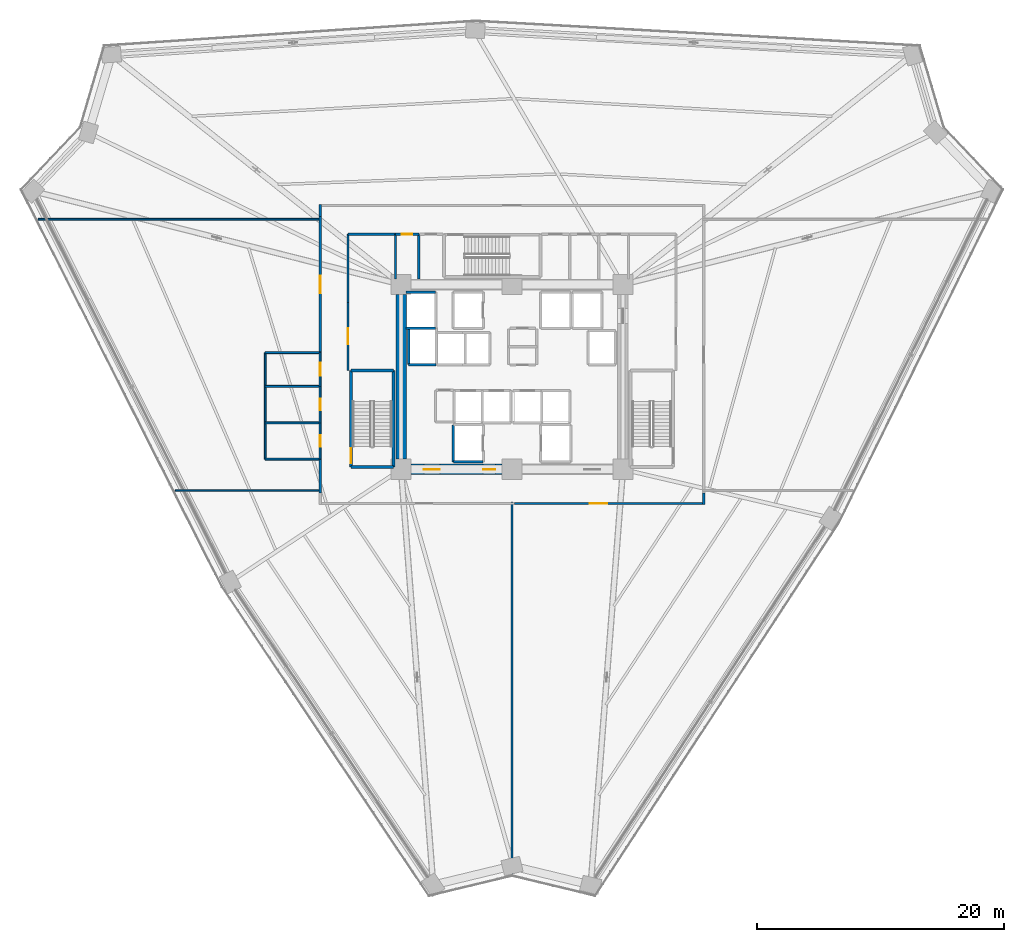
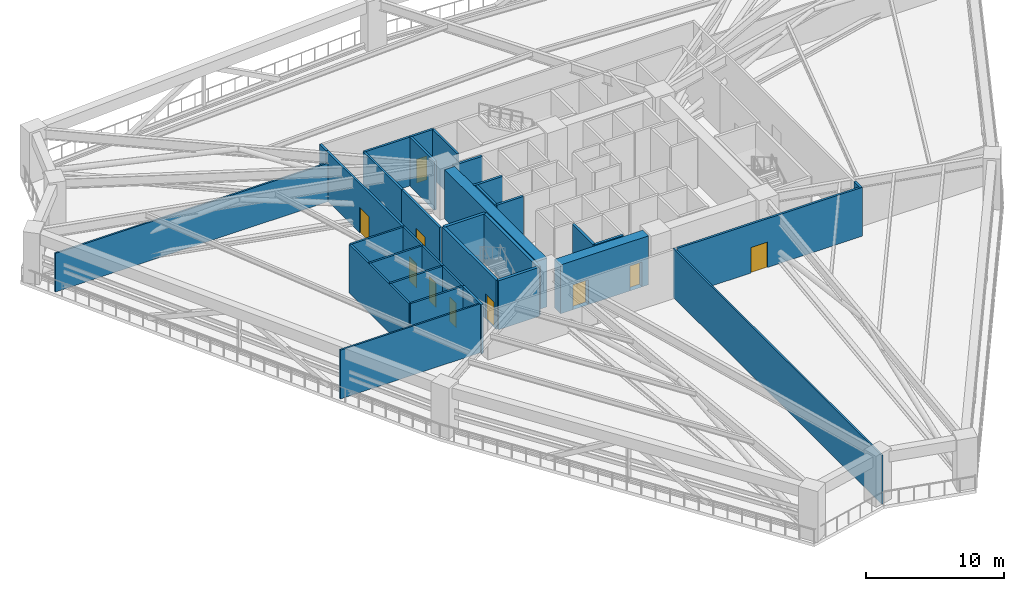
# One storey, part 17 of 25: 34 walls, 10 doors, 10 openings.
"""IFC4 building model written with IfcOpenShell, lengths in metres."""

from ifc_helpers import new_model, si_unit, direction, frame, frame_2d, origin, place, context, subcontext, project, spatial, rectangle, extrude, source, transform, mapped, material, layer, layer_set, type_object, element, fill, save


model = new_model("IFC4")

# Units and contexts
model_context = context("Model", 3, precision=1e-05, world=origin(), true_north=direction((0.0, 1.0)))
body_context = subcontext(model_context, "Body", "Model", "MODEL_VIEW")
ifc_project = project(units=[si_unit("LENGTHUNIT", "METRE"), si_unit("AREAUNIT", "SQUARE_METRE"), si_unit("VOLUMEUNIT", "CUBIC_METRE"), si_unit("PLANEANGLEUNIT", "RADIAN"), si_unit("MASSUNIT", "GRAM", prefix="KILO")], contexts=[model_context])

# Site, building, storey
site_placement = place(None, origin())
site = spatial("IfcSite", under=ifc_project, at=site_placement, CompositionType="ELEMENT")
building_placement = place(site_placement, origin())
building = spatial("IfcBuilding", under=site, at=building_placement, Name="Liaohun Quay Tower", CompositionType="ELEMENT")
storey_placement = place(building_placement, frame((0.0, 0.0, 47.25)))
storey = spatial("IfcBuildingStorey", under=building, at=storey_placement, Name="L12", CompositionType="ELEMENT", Elevation=47.25)

# Wall, openings, doors
ifc_material_1 = material(Name="Concrete C60", Category="concrete")
ifc_layer_1 = layer(ifc_material_1, 0.85009765625, Name="Concrete C60", Category="concrete")
ifc_layer_set_1 = layer_set([ifc_layer_1], Name="Concrete C60")
wall_type_1 = type_object("IfcWallType", Name="WAL-COR-Z1", PredefinedType="SHEAR", material=ifc_layer_set_1)
wall_1_placement = place(storey_placement, frame((59.175048828125, 46.5, 0.0), z_axis=(0.0, 0.0, 1.0), x_axis=(-1.0, 0.0, 0.0)))
wall_1 = element("IfcWall", 1, at=wall_1_placement, inside=storey, type_object=wall_type_1, Name="L12 Central Core Shear Wall S-W", PredefinedType="SHEAR", context=body_context, shape_type="SweptSolid", body=[
    extrude(rectangle(XDim=7.35009765625, YDim=0.85009765625, at=frame_2d((3.675048828125, 0.0))), origin(), (0.0, 0.0, 1.0), 4.320068359375),
])
shared_shape_1 = source(origin(), body_context, "Body", "SweptSolid", [
    extrude(rectangle(XDim=1.300048828125, YDim=2.199951171875, at=frame_2d((0.64990234375, 1.10009765625))), frame((0.0, 0.43505859375, 0.0), z_axis=(0.0, -1.0, 0.0), x_axis=(1.0, 0.0, 0.0)), (0.0, 0.0, 1.0), 0.8701171875),
])
opening_1_placement = place(wall_1_placement, frame((5.02490234375, 0.0, 0.0)))
opening_1 = element("IfcOpeningElement", 2, at=opening_1_placement, cuts=wall_1, Name="Opening FD1", PredefinedType="OPENING", context=body_context, shape_type="MappedRepresentation", body=[
    mapped(shared_shape_1, transform((0.0, 0.0, 0.0), x_axis=(1.0, 0.0, 0.0), y_axis=(0.0, 1.0, 0.0), z_axis=(0.0, 0.0, 1.0), scale=1.0)),
])
shared_shape_2 = source(origin(), body_context, "Body", "SweptSolid", [
    extrude(rectangle(XDim=1.0, YDim=2.199951171875, at=frame_2d((0.5, 1.10009765625))), frame((0.0, 0.43505859375, 0.0), z_axis=(0.0, -1.0, 0.0), x_axis=(1.0, 0.0, 0.0)), (0.0, 0.0, 1.0), 0.8701171875),
])
opening_2_placement = place(wall_1_placement, frame((0.52490234375, 0.0, 0.0)))
opening_2 = element("IfcOpeningElement", 3, at=opening_2_placement, cuts=wall_1, Name="Opening FD2", PredefinedType="OPENING", context=body_context, shape_type="MappedRepresentation", body=[
    mapped(shared_shape_2, transform((0.0, 0.0, 0.0), x_axis=(1.0, 0.0, 0.0), y_axis=(0.0, 1.0, 0.0), z_axis=(0.0, 0.0, 1.0), scale=1.0)),
])
ifc_material_2 = material(Name="Galvanised steel smokeproof fire door", Category="steel")
door_type_1 = type_object("IfcDoorType", Name="DOR-FFL-1300", OperationType="NOTDEFINED", PredefinedType="DOOR", material=ifc_material_2)
shared_shape_3 = source(origin(), body_context, "Body", "SweptSolid", [
    extrude(rectangle(XDim=1.300048828125, YDim=2.199951171875, at=frame_2d((0.64990234375, 1.10009765625))), frame((0.0, 0.02490234375, 0.0), z_axis=(0.0, -1.0, 0.0), x_axis=(1.0, 0.0, 0.0)), (0.0, 0.0, 1.0), 0.050048828125),
])
door_1_placement = place(opening_1_placement, origin())
door_1 = element("IfcDoor", 4, at=door_1_placement, inside=storey, type_object=door_type_1, Name="L12 West Core Lift Lobby Smokeproof Door", OperationType="SINGLE_SWING_RIGHT", OverallHeight=2.199951171875, OverallWidth=1.300048828125, PredefinedType="DOOR", context=body_context, shape_type="MappedRepresentation", body=[
    mapped(shared_shape_3, transform((0.0, 0.0, 0.0), x_axis=(1.0, 0.0, 0.0), y_axis=(0.0, 1.0, 0.0), z_axis=(0.0, 0.0, 1.0), scale=1.0)),
])
fill(opening_1, door_1)
ifc_material_3 = material(Name="Galvanised steel smokeproof lobby fire door", Category="steel")
door_type_2 = type_object("IfcDoorType", Name="DOR-FFL-1000", OperationType="NOTDEFINED", PredefinedType="DOOR", material=ifc_material_3)
shared_shape_4 = source(origin(), body_context, "Body", "SweptSolid", [
    extrude(rectangle(XDim=1.0, YDim=2.199951171875, at=frame_2d((0.5, 1.10009765625))), frame((0.0, 0.02490234375, 0.0), z_axis=(0.0, -1.0, 0.0), x_axis=(1.0, 0.0, 0.0)), (0.0, 0.0, 1.0), 0.050048828125),
])
door_2_placement = place(opening_2_placement, origin())
door_2 = element("IfcDoor", 5, at=door_2_placement, inside=storey, type_object=door_type_2, Name="L12 South Firefighting Lobby Smokeproof Door", OperationType="SINGLE_SWING_LEFT", OverallHeight=2.199951171875, OverallWidth=1.0, PredefinedType="DOOR", context=body_context, shape_type="MappedRepresentation", body=[
    mapped(shared_shape_4, transform((0.0, 0.0, 0.0), x_axis=(1.0, 0.0, 0.0), y_axis=(0.0, 1.0, 0.0), z_axis=(0.0, 0.0, 1.0), scale=1.0)),
])
fill(opening_2, door_2)

# Wall
wall_2_placement = place(storey_placement, frame((51.0, 47.324951171875, 0.0), z_axis=(0.0, 0.0, 1.0), x_axis=(0.0, 1.0, 0.0)))
element("IfcWall", 6, at=wall_2_placement, inside=storey, type_object=wall_type_1, Name="L12 Central Core Shear Wall W", PredefinedType="SHEAR", context=body_context, shape_type="SweptSolid", body=[
    extrude(rectangle(XDim=13.35009765625, YDim=0.85009765625, at=frame_2d((6.675048828125, 0.0))), origin(), (0.0, 0.0, 1.0), 4.320068359375),
])

# Wall, opening, door
ifc_material_4 = material(Name="Autoclaved aerated concrete blockwork", Category="masonry")
ifc_layer_2 = layer(ifc_material_4, 0.179931640625, Name="Autoclaved aerated concrete blockwork", Category="masonry")
ifc_layer_set_2 = layer_set([ifc_layer_2], Name="Autoclaved aerated concrete blockwork")
wall_type_2 = type_object("IfcWallType", Name="WAL-PRT-COR", PredefinedType="PARTITIONING", material=ifc_layer_set_2)
wall_3_placement = place(storey_placement, frame((50.5400390625, 65.580078125, 0.0), z_axis=(0.0, 0.0, 1.0), x_axis=(1.0, 0.0, 0.0)))
wall_3 = element("IfcWall", 7, at=wall_3_placement, inside=storey, type_object=wall_type_2, Name="L12 Interior Partition Wall 007", PredefinedType="PARTITIONING", context=body_context, shape_type="SweptSolid", body=[
    extrude(rectangle(XDim=1.89990234375, YDim=0.179931640625, at=frame_2d((0.949951171875, 0.0))), origin(), (0.0, 0.0, 1.0), 4.320068359375),
])
shared_shape_5 = source(origin(), body_context, "Body", "SweptSolid", [
    extrude(rectangle(XDim=0.85009765625, YDim=2.10009765625, at=frame_2d((0.425048828125, 1.050048828125))), frame((0.0, 0.099853515625, 0.0), z_axis=(0.0, -1.0, 0.0), x_axis=(1.0, 0.0, 0.0)), (0.0, 0.0, 1.0), 0.199951171875),
])
opening_3_placement = place(wall_3_placement, frame((0.52490234375, 0.0, 0.0)))
opening_3 = element("IfcOpeningElement", 8, at=opening_3_placement, cuts=wall_3, Name="Opening AD1", PredefinedType="OPENING", context=body_context, shape_type="MappedRepresentation", body=[
    mapped(shared_shape_5, transform((0.0, 0.0, 0.0), x_axis=(1.0, 0.0, 0.0), y_axis=(0.0, 1.0, 0.0), z_axis=(0.0, 0.0, 1.0), scale=1.0)),
])
ifc_material_5 = material(Name="Steel riser inspection fire door", Category="steel")
door_type_3 = type_object("IfcDoorType", Name="DOR-SHF-850", OperationType="NOTDEFINED", PredefinedType="DOOR", material=ifc_material_5)
shared_shape_6 = source(origin(), body_context, "Body", "SweptSolid", [
    extrude(rectangle(XDim=0.85009765625, YDim=2.10009765625, at=frame_2d((0.425048828125, 1.050048828125))), frame((0.0, 0.02490234375, 0.0), z_axis=(0.0, -1.0, 0.0), x_axis=(1.0, 0.0, 0.0)), (0.0, 0.0, 1.0), 0.050048828125),
])
door_3_placement = place(opening_3_placement, origin())
door_3 = element("IfcDoor", 9, at=door_3_placement, inside=storey, type_object=door_type_3, Name="L12 North-West Riser Closet Door", OperationType="SINGLE_SWING_RIGHT", OverallHeight=2.10009765625, OverallWidth=0.85009765625, PredefinedType="DOOR", context=body_context, shape_type="MappedRepresentation", body=[
    mapped(shared_shape_6, transform((0.0, 0.0, 0.0), x_axis=(1.0, 0.0, 0.0), y_axis=(0.0, 1.0, 0.0), z_axis=(0.0, 0.0, 1.0), scale=1.0)),
])
fill(opening_3, door_3)

wall_4_placement = place(storey_placement, frame((46.699951171875, 54.5400390625, 0.0), z_axis=(0.0, 0.0, 1.0), x_axis=(0.0, 1.0, 0.0)))
wall_4 = element("IfcWall", 10, at=wall_4_placement, inside=storey, type_object=wall_type_2, Name="L12 Interior Partition Wall 012", PredefinedType="PARTITIONING", context=body_context, shape_type="SweptSolid", body=[
    extrude(rectangle(XDim=5.52001953125, YDim=0.179931640625, at=frame_2d((2.760009765625, 0.0))), origin(), (0.0, 0.0, 1.0), 4.320068359375),
])
shared_shape_7 = source(origin(), body_context, "Body", "SweptSolid", [
    extrude(rectangle(XDim=1.300048828125, YDim=2.199951171875, at=frame_2d((0.64990234375, 1.10009765625))), frame((0.0, 0.099853515625, 0.0), z_axis=(0.0, -1.0, 0.0), x_axis=(1.0, 0.0, 0.0)), (0.0, 0.0, 1.0), 0.199951171875),
])
opening_4_placement = place(wall_4_placement, frame((2.110107421875, 0.0, 0.0)))
opening_4 = element("IfcOpeningElement", 11, at=opening_4_placement, cuts=wall_4, Name="Opening FD1", PredefinedType="OPENING", context=body_context, shape_type="MappedRepresentation", body=[
    mapped(shared_shape_7, transform((0.0, 0.0, 0.0), x_axis=(1.0, 0.0, 0.0), y_axis=(0.0, 1.0, 0.0), z_axis=(0.0, 0.0, 1.0), scale=1.0)),
])
door_4_placement = place(opening_4_placement, origin())
door_4 = element("IfcDoor", 12, at=door_4_placement, inside=storey, type_object=door_type_1, Name="L12 West Core Vestibule Door", OperationType="SINGLE_SWING_LEFT", OverallHeight=2.199951171875, OverallWidth=1.300048828125, PredefinedType="DOOR", context=body_context, shape_type="MappedRepresentation", body=[
    mapped(shared_shape_3, transform((0.0, 0.0, 0.0), x_axis=(1.0, 0.0, 0.0), y_axis=(0.0, 1.0, 0.0), z_axis=(0.0, 0.0, 1.0), scale=1.0)),
])
fill(opening_4, door_4)

wall_5_placement = place(storey_placement, frame((44.43994140625, 55.97998046875, 0.0), z_axis=(0.0, 0.0, 1.0), x_axis=(0.0, 1.0, 0.0)))
wall_5 = element("IfcWall", 13, at=wall_5_placement, inside=storey, type_object=wall_type_2, Name="L12 Interior Partition Wall 016", PredefinedType="PARTITIONING", context=body_context, shape_type="SweptSolid", body=[
    extrude(rectangle(XDim=11.034912109375, YDim=0.179931640625, at=frame_2d((5.517578125, 0.0))), origin(), (0.0, 0.0, 1.0), 4.320068359375),
])
shared_shape_8 = source(origin(), body_context, "Body", "SweptSolid", [
    extrude(rectangle(XDim=1.39990234375, YDim=2.25, at=frame_2d((0.699951171875, 1.125))), frame((0.0, 0.099853515625, 0.0), z_axis=(0.0, -1.0, 0.0), x_axis=(1.0, 0.0, 0.0)), (0.0, 0.0, 1.0), 0.199951171875),
])
opening_5_placement = place(wall_5_placement, frame((4.818115234375, 0.0, 0.0)))
opening_5 = element("IfcOpeningElement", 14, at=opening_5_placement, cuts=wall_5, Name="Opening MD1", PredefinedType="OPENING", context=body_context, shape_type="MappedRepresentation", body=[
    mapped(shared_shape_8, transform((0.0, 0.0, 0.0), x_axis=(1.0, 0.0, 0.0), y_axis=(0.0, 1.0, 0.0), z_axis=(0.0, 0.0, 1.0), scale=1.0)),
])
ifc_material_6 = material(Name="Insulated steel plant room door", Category="steel")
door_type_4 = type_object("IfcDoorType", Name="DOR-MEP-1400", OperationType="DOUBLE_DOOR_SINGLE_SWING", PredefinedType="DOOR", material=ifc_material_6)
shared_shape_9 = source(origin(), body_context, "Body", "SweptSolid", [
    extrude(rectangle(XDim=1.39990234375, YDim=2.25, at=frame_2d((0.699951171875, 1.125))), frame((0.0, 0.02490234375, 0.0), z_axis=(0.0, -1.0, 0.0), x_axis=(1.0, 0.0, 0.0)), (0.0, 0.0, 1.0), 0.050048828125),
])
door_5_placement = place(opening_5_placement, origin())
door_5 = element("IfcDoor", 15, at=door_5_placement, inside=storey, type_object=door_type_4, Name="L12 West Air Handling Unit Plant Room Door", OperationType="DOUBLE_DOOR_SINGLE_SWING", OverallHeight=2.25, OverallWidth=1.39990234375, PredefinedType="DOOR", context=body_context, shape_type="MappedRepresentation", body=[
    mapped(shared_shape_9, transform((0.0, 0.0, 0.0), x_axis=(1.0, 0.0, 0.0), y_axis=(0.0, 1.0, 0.0), z_axis=(0.0, 0.0, 1.0), scale=1.0)),
])
fill(opening_5, door_5)

wall_6_placement = place(storey_placement, frame((75.6298828125, 43.739990234375, 0.0), z_axis=(0.0, 0.0, 1.0), x_axis=(-1.0, 0.0, 0.0)))
wall_6 = element("IfcWall", 16, at=wall_6_placement, inside=storey, type_object=wall_type_2, Name="L12 Interior Partition Wall 018", PredefinedType="PARTITIONING", context=body_context, shape_type="SweptSolid", body=[
    extrude(rectangle(XDim=15.414794921875, YDim=0.179931640625, at=frame_2d((7.70751953125, 0.0))), origin(), (0.0, 0.0, 1.0), 4.320068359375),
])
opening_6_placement = place(wall_6_placement, frame((7.906982421875, 0.0, 0.0)))
opening_6 = element("IfcOpeningElement", 17, at=opening_6_placement, cuts=wall_6, Name="Opening MD1", PredefinedType="OPENING", context=body_context, shape_type="MappedRepresentation", body=[
    mapped(shared_shape_8, transform((0.0, 0.0, 0.0), x_axis=(1.0, 0.0, 0.0), y_axis=(0.0, 1.0, 0.0), z_axis=(0.0, 0.0, 1.0), scale=1.0)),
])
door_6_placement = place(opening_6_placement, origin())
door_6 = element("IfcDoor", 18, at=door_6_placement, inside=storey, type_object=door_type_4, Name="L12 East Booster Water Pump and Tank Plant Room Door", OperationType="DOUBLE_DOOR_SINGLE_SWING", OverallHeight=2.25, OverallWidth=1.39990234375, PredefinedType="DOOR", context=body_context, shape_type="MappedRepresentation", body=[
    mapped(shared_shape_9, transform((0.0, 0.0, 0.0), x_axis=(1.0, 0.0, 0.0), y_axis=(0.0, 1.0, 0.0), z_axis=(0.0, 0.0, 1.0), scale=1.0)),
])
fill(opening_6, door_6)

# Walls
for number, where, z_axis, x_axis, name in (
    (19, (50.5400390625, 61.949951171875, 0.0), (0.0, 0.0, 1.0), (0.0, 1.0, 0.0), "L12 Interior Partition Wall 029"),
    (20, (52.43994140625, 61.949951171875, 0.0), (0.0, 0.0, 1.0), (0.0, 1.0, 0.0), "L12 Interior Partition Wall 030"),
):
    element("IfcWall", number, at=place(storey_placement, frame(where, z_axis=z_axis, x_axis=x_axis)), inside=storey, type_object=wall_type_2, Name=name, PredefinedType="PARTITIONING", context=body_context, shape_type="SweptSolid", body=[
        extrude(rectangle(XDim=3.630126953125, YDim=0.179931640625, at=frame_2d((1.81494140625, 0.0))), origin(), (0.0, 0.0, 1.0), 4.320068359375),
    ])
wall_7_placement = place(storey_placement, frame((46.699951171875, 65.580078125, 0.0), z_axis=(0.0, 0.0, 1.0), x_axis=(1.0, 0.0, 0.0)))
element("IfcWall", 21, at=wall_7_placement, inside=storey, type_object=wall_type_2, Name="L12 Interior Partition Wall 034", PredefinedType="PARTITIONING", context=body_context, shape_type="SweptSolid", body=[
    extrude(rectangle(XDim=3.840087890625, YDim=0.179931640625, at=frame_2d((1.919921875, 0.0))), origin(), (0.0, 0.0, 1.0), 4.320068359375),
])
wall_8_placement = place(storey_placement, frame((46.699951171875, 60.06005859375, 0.0), z_axis=(0.0, 0.0, 1.0), x_axis=(0.0, 1.0, 0.0)))
element("IfcWall", 22, at=wall_8_placement, inside=storey, type_object=wall_type_2, Name="L12 Interior Partition Wall 036", PredefinedType="PARTITIONING", context=body_context, shape_type="SweptSolid", body=[
    extrude(rectangle(XDim=5.52001953125, YDim=0.179931640625, at=frame_2d((2.760009765625, 0.0))), origin(), (0.0, 0.0, 1.0), 4.320068359375),
])
wall_9_placement = place(storey_placement, frame((44.43994140625, 67.014892578125, 0.0), z_axis=(0.0, 0.0, 1.0), x_axis=(0.0, 1.0, 0.0)))
element("IfcWall", 23, at=wall_9_placement, inside=storey, type_object=wall_type_2, Name="L12 Interior Partition Wall 038", PredefinedType="PARTITIONING", context=body_context, shape_type="SweptSolid", body=[
    extrude(rectangle(XDim=0.965087890625, YDim=0.179931640625, at=frame_2d((0.482421875, 0.0))), origin(), (0.0, 0.0, 1.0), 4.320068359375),
])
wall_10_placement = place(storey_placement, frame((44.43994140625, 44.5849609375, 0.0), z_axis=(0.0, 0.0, 1.0), x_axis=(0.0, 1.0, 0.0)))
element("IfcWall", 24, at=wall_10_placement, inside=storey, type_object=wall_type_2, Name="L12 Interior Partition Wall 040", PredefinedType="PARTITIONING", context=body_context, shape_type="SweptSolid", body=[
    extrude(rectangle(XDim=2.755126953125, YDim=0.179931640625, at=frame_2d((1.37744140625, 0.0))), origin(), (0.0, 0.0, 1.0), 4.320068359375),
])
wall_11_placement = place(storey_placement, frame((75.56005859375, 44.5849609375, 0.0), z_axis=(0.0, 0.0, 1.0), x_axis=(0.0, -1.0, 0.0)))
element("IfcWall", 25, at=wall_11_placement, inside=storey, type_object=wall_type_2, Name="L12 Interior Partition Wall 042", PredefinedType="PARTITIONING", context=body_context, shape_type="SweptSolid", body=[
    extrude(rectangle(XDim=0.9150390625, YDim=0.179931640625, at=frame_2d((0.45751953125, 0.0))), origin(), (0.0, 0.0, 1.0), 4.320068359375),
])
ifc_material_7 = material(Name="Gypsum board on twin steel studs", Category="steel")
ifc_layer_3 = layer(ifc_material_7, 0.139892578125, Name="Gypsum board on twin steel studs", Category="steel")
ifc_layer_set_3 = layer_set([ifc_layer_3], Name="Gypsum board on twin steel studs")
wall_type_3 = type_object("IfcWallType", Name="WAL-PRT-OFF", PredefinedType="PARTITIONING", material=ifc_layer_set_3)
wall_12_placement = place(storey_placement, frame((44.5400390625, 44.800048828125, 0.0), z_axis=(0.0, 0.0, 1.0), x_axis=(-1.0, 0.0, 0.0)))
element("IfcWall", 26, at=wall_12_placement, inside=storey, type_object=wall_type_3, Name="L12 Interior Partition Wall 043", PredefinedType="PARTITIONING", context=body_context, shape_type="SweptSolid", body=[
    extrude(rectangle(XDim=11.861083984375, YDim=0.139892578125, at=frame_2d((5.9306640625, 0.0))), origin(), (0.0, 0.0, 1.0), 4.320068359375),
])
wall_13_placement = place(storey_placement, frame((44.5400390625, 66.800048828125, 0.0), z_axis=(0.0, 0.0, 1.0), x_axis=(-1.0, 0.0, 0.0)))
element("IfcWall", 27, at=wall_13_placement, inside=storey, type_object=wall_type_3, Name="L12 Interior Partition Wall 045", PredefinedType="PARTITIONING", context=body_context, shape_type="SweptSolid", body=[
    extrude(rectangle(XDim=22.983154296875, YDim=0.139892578125, at=frame_2d((11.49169921875, 0.0))), origin(), (0.0, 0.0, 1.0), 3.405029296875),
])
wall_14_placement = place(storey_placement, frame((60.0, 43.840087890625, 0.0), z_axis=(0.0, 0.0, 1.0), x_axis=(0.0, -1.0, 0.0)))
element("IfcWall", 28, at=wall_14_placement, inside=storey, type_object=wall_type_3, Name="L12 Interior Partition Wall 047", PredefinedType="PARTITIONING", context=body_context, shape_type="SweptSolid", body=[
    extrude(rectangle(XDim=30.1640625, YDim=0.139892578125, at=frame_2d((15.08203125, 0.0))), origin(), (0.0, 0.0, 1.0), 4.320068359375),
])

# Wall, opening, door
ifc_material_8 = material(Name="Moisture-resistant masonry blockwork", Category="masonry")
ifc_layer_4 = layer(ifc_material_8, 0.159912109375, Name="Moisture-resistant masonry blockwork", Category="masonry")
ifc_layer_set_4 = layer_set([ifc_layer_4], Name="Moisture-resistant masonry blockwork")
wall_type_4 = type_object("IfcWallType", Name="WAL-PRT-WET", PredefinedType="PARTITIONING", material=ifc_layer_set_4)
wall_15_placement = place(storey_placement, frame((44.43994140625, 47.340087890625, 0.0), z_axis=(0.0, 0.0, 1.0), x_axis=(0.0, 1.0, 0.0)))
wall_15 = element("IfcWall", 29, at=wall_15_placement, inside=storey, type_object=wall_type_4, Name="L12 Interior Partition Wall 004", PredefinedType="PARTITIONING", context=body_context, shape_type="SweptSolid", body=[
    extrude(rectangle(XDim=2.93994140625, YDim=0.159912109375, at=frame_2d((1.469970703125, 0.0))), origin(), (0.0, 0.0, 1.0), 4.320068359375),
])
shared_shape_10 = source(origin(), body_context, "Body", "SweptSolid", [
    extrude(rectangle(XDim=0.949951171875, YDim=2.14990234375, at=frame_2d((0.47509765625, 1.074951171875))), frame((0.0, 0.08984375, 0.0), z_axis=(0.0, -1.0, 0.0), x_axis=(1.0, 0.0, 0.0)), (0.0, 0.0, 1.0), 0.179931640625),
])
opening_7_placement = place(wall_15_placement, frame((0.9951171875, 0.0, 0.0)))
opening_7 = element("IfcOpeningElement", 30, at=opening_7_placement, cuts=wall_15, Name="Opening WD1", PredefinedType="OPENING", context=body_context, shape_type="MappedRepresentation", body=[
    mapped(shared_shape_10, transform((0.0, 0.0, 0.0), x_axis=(1.0, 0.0, 0.0), y_axis=(0.0, 1.0, 0.0), z_axis=(0.0, 0.0, 1.0), scale=1.0)),
])
ifc_material_9 = material(Name="Moisture-resistant laminate timber leaf", Category="wood")
door_type_5 = type_object("IfcDoorType", Name="DOR-WC-950", OperationType="NOTDEFINED", PredefinedType="DOOR", material=ifc_material_9)
shared_shape_11 = source(origin(), body_context, "Body", "SweptSolid", [
    extrude(rectangle(XDim=0.949951171875, YDim=2.14990234375, at=frame_2d((0.47509765625, 1.074951171875))), frame((0.0, 0.02490234375, 0.0), z_axis=(0.0, -1.0, 0.0), x_axis=(1.0, 0.0, 0.0)), (0.0, 0.0, 1.0), 0.050048828125),
])
door_7_placement = place(opening_7_placement, origin())
door_7 = element("IfcDoor", 31, at=door_7_placement, inside=storey, type_object=door_type_5, Name="L12 Male Restroom WC Door", OperationType="SINGLE_SWING_LEFT", OverallHeight=2.14990234375, OverallWidth=0.949951171875, PredefinedType="DOOR", context=body_context, shape_type="MappedRepresentation", body=[
    mapped(shared_shape_11, transform((0.0, 0.0, 0.0), x_axis=(1.0, 0.0, 0.0), y_axis=(0.0, 1.0, 0.0), z_axis=(0.0, 0.0, 1.0), scale=1.0)),
])
fill(opening_7, door_7)

wall_16_placement = place(storey_placement, frame((44.43994140625, 50.280029296875, 0.0), z_axis=(0.0, 0.0, 1.0), x_axis=(0.0, 1.0, 0.0)))
wall_16 = element("IfcWall", 32, at=wall_16_placement, inside=storey, type_object=wall_type_4, Name="L12 Interior Partition Wall 005", PredefinedType="PARTITIONING", context=body_context, shape_type="SweptSolid", body=[
    extrude(rectangle(XDim=2.9599609375, YDim=0.159912109375, at=frame_2d((1.47998046875, 0.0))), origin(), (0.0, 0.0, 1.0), 4.320068359375),
])
opening_8_placement = place(wall_16_placement, frame((1.0048828125, 0.0, 0.0)))
opening_8 = element("IfcOpeningElement", 33, at=opening_8_placement, cuts=wall_16, Name="Opening WD1", PredefinedType="OPENING", context=body_context, shape_type="MappedRepresentation", body=[
    mapped(shared_shape_10, transform((0.0, 0.0, 0.0), x_axis=(1.0, 0.0, 0.0), y_axis=(0.0, 1.0, 0.0), z_axis=(0.0, 0.0, 1.0), scale=1.0)),
])
door_8_placement = place(opening_8_placement, origin())
door_8 = element("IfcDoor", 34, at=door_8_placement, inside=storey, type_object=door_type_5, Name="L12 Female Restroom WC Door", OperationType="SINGLE_SWING_RIGHT", OverallHeight=2.14990234375, OverallWidth=0.949951171875, PredefinedType="DOOR", context=body_context, shape_type="MappedRepresentation", body=[
    mapped(shared_shape_11, transform((0.0, 0.0, 0.0), x_axis=(1.0, 0.0, 0.0), y_axis=(0.0, 1.0, 0.0), z_axis=(0.0, 0.0, 1.0), scale=1.0)),
])
fill(opening_8, door_8)

wall_17_placement = place(storey_placement, frame((44.43994140625, 53.239990234375, 0.0), z_axis=(0.0, 0.0, 1.0), x_axis=(0.0, 1.0, 0.0)))
wall_17 = element("IfcWall", 35, at=wall_17_placement, inside=storey, type_object=wall_type_4, Name="L12 Interior Partition Wall 006", PredefinedType="PARTITIONING", context=body_context, shape_type="SweptSolid", body=[
    extrude(rectangle(XDim=2.739990234375, YDim=0.159912109375, at=frame_2d((1.3701171875, 0.0))), origin(), (0.0, 0.0, 1.0), 4.320068359375),
])
shared_shape_12 = source(origin(), body_context, "Body", "SweptSolid", [
    extrude(rectangle(XDim=1.050048828125, YDim=2.14990234375, at=frame_2d((0.52490234375, 1.074951171875))), frame((0.0, 0.08984375, 0.0), z_axis=(0.0, -1.0, 0.0), x_axis=(1.0, 0.0, 0.0)), (0.0, 0.0, 1.0), 0.179931640625),
])
opening_9_placement = place(wall_17_placement, frame((0.844970703125, 0.0, 0.0)))
opening_9 = element("IfcOpeningElement", 36, at=opening_9_placement, cuts=wall_17, Name="Opening WD2", PredefinedType="OPENING", context=body_context, shape_type="MappedRepresentation", body=[
    mapped(shared_shape_12, transform((0.0, 0.0, 0.0), x_axis=(1.0, 0.0, 0.0), y_axis=(0.0, 1.0, 0.0), z_axis=(0.0, 0.0, 1.0), scale=1.0)),
])
ifc_material_10 = material(Name="Accessible outward-swinging laminate door")
door_type_6 = type_object("IfcDoorType", Name="DOR-AWC-1050", OperationType="NOTDEFINED", PredefinedType="DOOR", material=ifc_material_10)
shared_shape_13 = source(origin(), body_context, "Body", "SweptSolid", [
    extrude(rectangle(XDim=1.050048828125, YDim=2.14990234375, at=frame_2d((0.52490234375, 1.074951171875))), frame((0.0, 0.02490234375, 0.0), z_axis=(0.0, -1.0, 0.0), x_axis=(1.0, 0.0, 0.0)), (0.0, 0.0, 1.0), 0.050048828125),
])
door_9_placement = place(opening_9_placement, origin())
door_9 = element("IfcDoor", 37, at=door_9_placement, inside=storey, type_object=door_type_6, Name="L12 Accessible WC Door", OperationType="SINGLE_SWING_LEFT", OverallHeight=2.14990234375, OverallWidth=1.050048828125, PredefinedType="DOOR", context=body_context, shape_type="MappedRepresentation", body=[
    mapped(shared_shape_13, transform((0.0, 0.0, 0.0), x_axis=(1.0, 0.0, 0.0), y_axis=(0.0, 1.0, 0.0), z_axis=(0.0, 0.0, 1.0), scale=1.0)),
])
fill(opening_9, door_9)

# Walls
wall_18_placement = place(storey_placement, frame((39.97998046875, 47.340087890625, 0.0), z_axis=(0.0, 0.0, 1.0), x_axis=(0.0, 1.0, 0.0)))
element("IfcWall", 38, at=wall_18_placement, inside=storey, type_object=wall_type_4, Name="L12 Interior Partition Wall 024", PredefinedType="PARTITIONING", context=body_context, shape_type="SweptSolid", body=[
    extrude(rectangle(XDim=8.639892578125, YDim=0.159912109375, at=frame_2d((4.31982421875, 0.0))), origin(), (0.0, 0.0, 1.0), 4.320068359375),
])
for number, where, z_axis, x_axis, name in (
    (39, (39.97998046875, 47.340087890625, 0.0), (0.0, 0.0, 1.0), (1.0, 0.0, 0.0), "L12 Interior Partition Wall 025"),
    (40, (39.97998046875, 50.280029296875, 0.0), (0.0, 0.0, 1.0), (1.0, 0.0, 0.0), "L12 Interior Partition Wall 026"),
    (41, (39.97998046875, 53.239990234375, 0.0), (0.0, 0.0, 1.0), (1.0, 0.0, 0.0), "L12 Interior Partition Wall 027"),
    (42, (39.97998046875, 55.97998046875, 0.0), (0.0, 0.0, 1.0), (1.0, 0.0, 0.0), "L12 Interior Partition Wall 028"),
):
    element("IfcWall", number, at=place(storey_placement, frame(where, z_axis=z_axis, x_axis=x_axis)), inside=storey, type_object=wall_type_4, Name=name, PredefinedType="PARTITIONING", context=body_context, shape_type="SweptSolid", body=[
        extrude(rectangle(XDim=4.4599609375, YDim=0.159912109375, at=frame_2d((2.22998046875, 0.0))), origin(), (0.0, 0.0, 1.0), 4.320068359375),
    ])
ifc_material_11 = material(Name="Concrete C50", Category="concrete")
ifc_layer_5 = layer(ifc_material_11, 0.239990234375, Name="Concrete C50", Category="concrete")
ifc_layer_set_5 = layer_set([ifc_layer_5], Name="Concrete C50")
wall_type_5 = type_object("IfcWallType", Name="WAL-SHF-200", PredefinedType="SOLIDWALL", material=ifc_layer_set_5)
wall_19_placement = place(storey_placement, frame((46.93994140625, 46.699951171875, 0.0), z_axis=(0.0, 0.0, 1.0), x_axis=(1.0, 0.0, 0.0)))
element("IfcWall", 43, at=wall_19_placement, inside=storey, type_object=wall_type_5, Name="L12 Stairwell ST-1 Structural Core Wall S", PredefinedType="SOLIDWALL", context=body_context, shape_type="SweptSolid", body=[
    extrude(rectangle(XDim=3.43994140625, YDim=0.239990234375, at=frame_2d((1.719970703125, 0.0))), origin(), (0.0, 0.0, 1.0), 4.320068359375),
])
wall_20_placement = place(storey_placement, frame((50.3798828125, 46.699951171875, 0.0), z_axis=(0.0, 0.0, 1.0), x_axis=(0.0, 1.0, 0.0)))
element("IfcWall", 44, at=wall_20_placement, inside=storey, type_object=wall_type_5, Name="L12 Stairwell ST-1 Structural Core Wall E", PredefinedType="SOLIDWALL", context=body_context, shape_type="SweptSolid", body=[
    extrude(rectangle(XDim=7.820068359375, YDim=0.239990234375, at=frame_2d((3.91015625, 0.0))), origin(), (0.0, 0.0, 1.0), 4.320068359375),
])
wall_21_placement = place(storey_placement, frame((50.3798828125, 54.52001953125, 0.0), z_axis=(0.0, 0.0, 1.0), x_axis=(-1.0, 0.0, 0.0)))
element("IfcWall", 45, at=wall_21_placement, inside=storey, type_object=wall_type_5, Name="L12 Stairwell ST-1 Structural Core Wall N", PredefinedType="SOLIDWALL", context=body_context, shape_type="SweptSolid", body=[
    extrude(rectangle(XDim=3.43994140625, YDim=0.239990234375, at=frame_2d((1.719970703125, 0.0))), origin(), (0.0, 0.0, 1.0), 4.320068359375),
])

# Wall, opening, door
wall_22_placement = place(storey_placement, frame((46.93994140625, 54.52001953125, 0.0), z_axis=(0.0, 0.0, 1.0), x_axis=(0.0, -1.0, 0.0)))
wall_22 = element("IfcWall", 46, at=wall_22_placement, inside=storey, type_object=wall_type_5, Name="L12 Stairwell ST-1 Structural Core Wall W", PredefinedType="SOLIDWALL", context=body_context, shape_type="SweptSolid", body=[
    extrude(rectangle(XDim=7.820068359375, YDim=0.239990234375, at=frame_2d((3.91015625, 0.0))), origin(), (0.0, 0.0, 1.0), 4.320068359375),
])
shared_shape_14 = source(origin(), body_context, "Body", "SweptSolid", [
    extrude(rectangle(XDim=1.199951171875, YDim=2.199951171875, at=frame_2d((0.60009765625, 1.10009765625))), frame((0.0, 0.1298828125, 0.0), z_axis=(0.0, -1.0, 0.0), x_axis=(1.0, 0.0, 0.0)), (0.0, 0.0, 1.0), 0.260009765625),
])
opening_10_placement = place(wall_22_placement, frame((6.300048828125, 0.0, 0.0)))
opening_10 = element("IfcOpeningElement", 47, at=opening_10_placement, cuts=wall_22, Name="Opening SD1", PredefinedType="OPENING", context=body_context, shape_type="MappedRepresentation", body=[
    mapped(shared_shape_14, transform((0.0, 0.0, 0.0), x_axis=(1.0, 0.0, 0.0), y_axis=(0.0, 1.0, 0.0), z_axis=(0.0, 0.0, 1.0), scale=1.0)),
])
ifc_material_12 = material(Name="Galvanised steel fire door", Category="steel")
door_type_7 = type_object("IfcDoorType", Name="DOR-STR-1200", OperationType="NOTDEFINED", PredefinedType="DOOR", material=ifc_material_12)
shared_shape_15 = source(origin(), body_context, "Body", "SweptSolid", [
    extrude(rectangle(XDim=1.199951171875, YDim=2.199951171875, at=frame_2d((0.60009765625, 1.10009765625))), frame((0.0, 0.02490234375, 0.0), z_axis=(0.0, -1.0, 0.0), x_axis=(1.0, 0.0, 0.0)), (0.0, 0.0, 1.0), 0.050048828125),
])
door_10_placement = place(opening_10_placement, origin())
door_10 = element("IfcDoor", 48, at=door_10_placement, inside=storey, type_object=door_type_7, Name="L12 Protected Stair ST-1 Fire Door", OperationType="SINGLE_SWING_LEFT", OverallHeight=2.199951171875, OverallWidth=1.199951171875, PredefinedType="DOOR", context=body_context, shape_type="MappedRepresentation", body=[
    mapped(shared_shape_15, transform((0.0, 0.0, 0.0), x_axis=(1.0, 0.0, 0.0), y_axis=(0.0, 1.0, 0.0), z_axis=(0.0, 0.0, 1.0), scale=1.0)),
])
fill(opening_10, door_10)

# Walls
wall_23_placement = place(storey_placement, frame((55.25, 47.1201171875, 0.0), z_axis=(0.0, 0.0, 1.0), x_axis=(1.0, 0.0, 0.0)))
element("IfcWall", 49, at=wall_23_placement, inside=storey, type_object=wall_type_5, Name="L12 Lift FF-01 Hoistway Wall S", PredefinedType="SOLIDWALL", context=body_context, shape_type="SweptSolid", body=[
    extrude(rectangle(XDim=2.39990234375, YDim=0.199951171875, at=frame_2d((1.199951171875, 0.0))), origin(), (0.0, 0.0, 1.0), 4.320068359375),
])
wall_24_placement = place(storey_placement, frame((55.25, 50.1201171875, 0.0), z_axis=(0.0, 0.0, 1.0), x_axis=(0.0, -1.0, 0.0)))
element("IfcWall", 50, at=wall_24_placement, inside=storey, type_object=wall_type_5, Name="L12 Lift FF-01 Hoistway Wall W", PredefinedType="SOLIDWALL", context=body_context, shape_type="SweptSolid", body=[
    extrude(rectangle(XDim=3.0, YDim=0.199951171875, at=frame_2d((1.5, 0.0))), origin(), (0.0, 0.0, 1.0), 4.320068359375),
])
for number, where, z_axis, x_axis, name in (
    (51, (51.39990234375, 57.949951171875, 0.0), (0.0, 0.0, 1.0), (1.0, 0.0, 0.0), "L12 Lift SH-01 Hoistway Wall S"),
    (52, (53.800048828125, 60.8798828125, 0.0), (0.0, 0.0, 1.0), (-1.0, 0.0, 0.0), "L12 Lift SH-01 Hoistway Wall N"),
):
    element("IfcWall", number, at=place(storey_placement, frame(where, z_axis=z_axis, x_axis=x_axis)), inside=storey, type_object=wall_type_5, Name=name, PredefinedType="SOLIDWALL", context=body_context, shape_type="SweptSolid", body=[
        extrude(rectangle(XDim=2.400146484375, YDim=0.199951171875, at=frame_2d((1.2001953125, 0.0))), origin(), (0.0, 0.0, 1.0), 4.320068359375),
    ])
wall_25_placement = place(storey_placement, frame((51.6201171875, 55.0, 0.0), z_axis=(0.0, 0.0, 1.0), x_axis=(1.0, 0.0, 0.0)))
element("IfcWall", 53, at=wall_25_placement, inside=storey, type_object=wall_type_5, Name="L12 Lift SH-02 Hoistway Wall S", PredefinedType="SOLIDWALL", context=body_context, shape_type="SweptSolid", body=[
    extrude(rectangle(XDim=2.22998046875, YDim=0.199951171875, at=frame_2d((1.114990234375, 0.0))), origin(), (0.0, 0.0, 1.0), 4.320068359375),
])
wall_26_placement = place(storey_placement, frame((51.6201171875, 58.0, 0.0), z_axis=(0.0, 0.0, 1.0), x_axis=(0.0, -1.0, 0.0)))
element("IfcWall", 54, at=wall_26_placement, inside=storey, type_object=wall_type_5, Name="L12 Lift SH-02 Hoistway Wall W", PredefinedType="SOLIDWALL", context=body_context, shape_type="SweptSolid", body=[
    extrude(rectangle(XDim=3.0, YDim=0.199951171875, at=frame_2d((1.5, 0.0))), origin(), (0.0, 0.0, 1.0), 4.320068359375),
])

save(model, "model.ifc")
